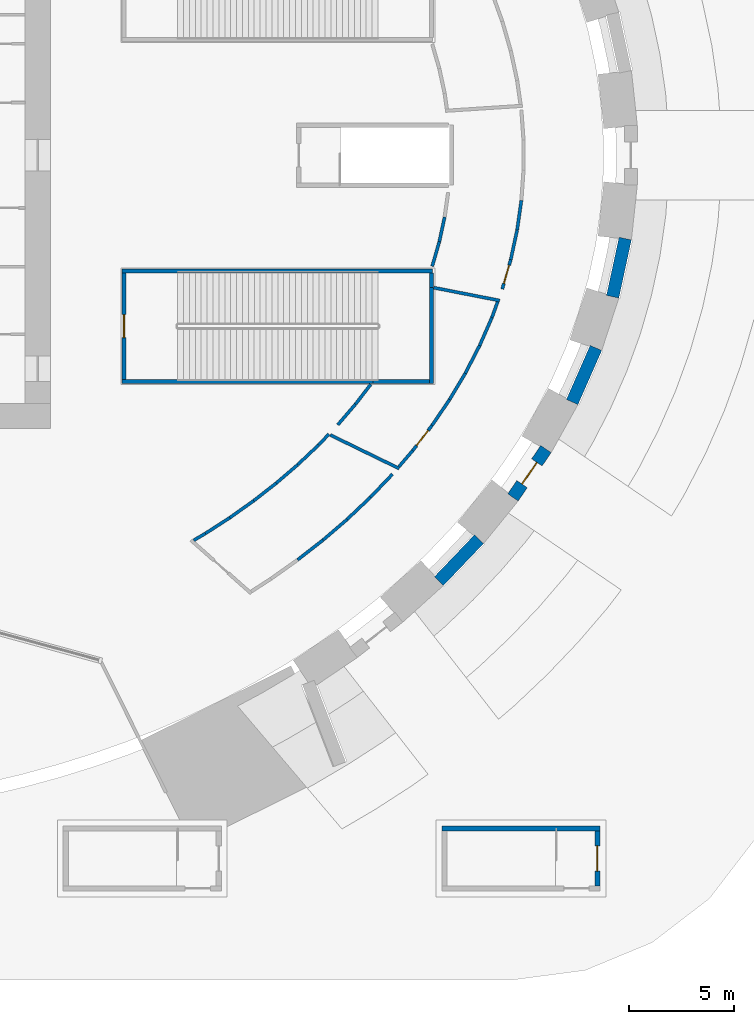
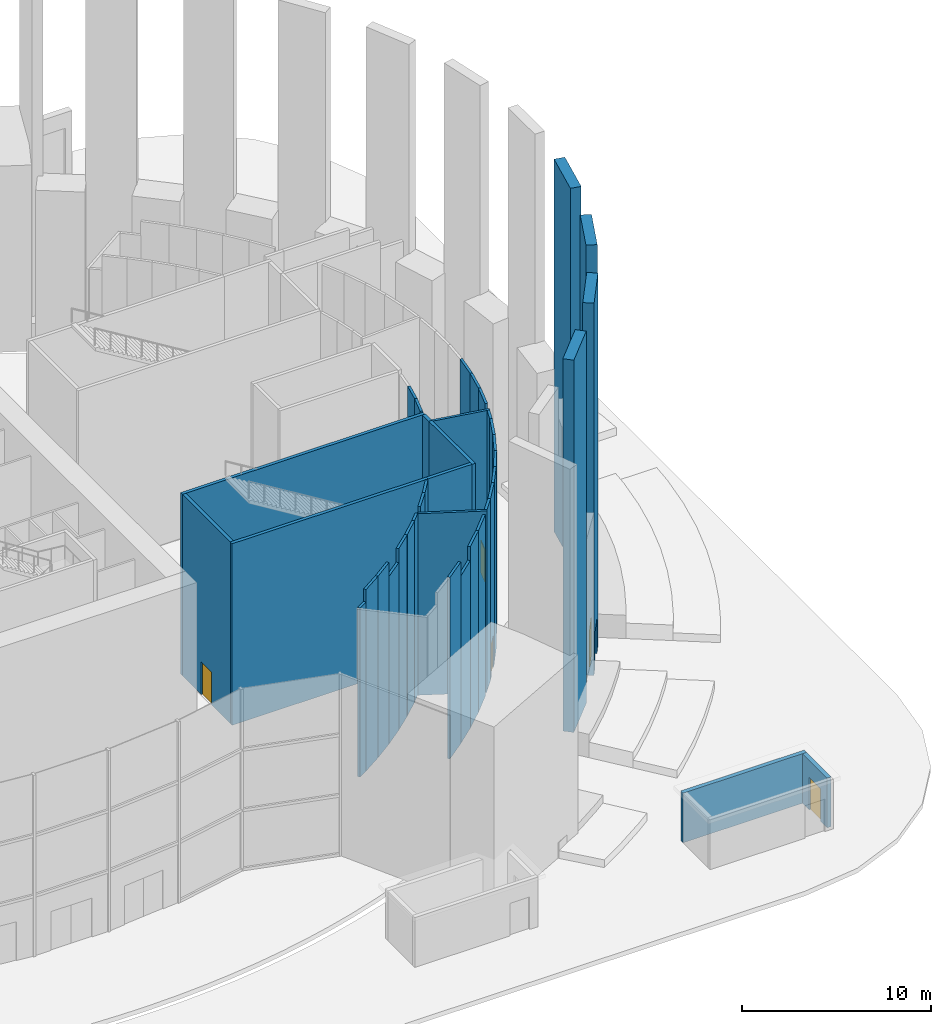
# One storey, part 13 of 25: 39 walls, 5 doors, 5 openings.
"""IFC4 building model written with IfcOpenShell, lengths in metres."""

from ifc_helpers import new_model, si_unit, direction, frame, frame_2d, origin, place, context, subcontext, project, spatial, rectangle, extrude, source, transform, mapped, material, layer, layer_set, type_object, element, fill, save


model = new_model("IFC4")

# Units and contexts
model_context = context("Model", 3, precision=1e-05, world=origin(), true_north=direction((0.0, 1.0)))
body_context = subcontext(model_context, "Body", "Model", "MODEL_VIEW")
ifc_project = project(units=[si_unit("LENGTHUNIT", "METRE"), si_unit("AREAUNIT", "SQUARE_METRE"), si_unit("VOLUMEUNIT", "CUBIC_METRE"), si_unit("PLANEANGLEUNIT", "RADIAN"), si_unit("MASSUNIT", "GRAM", prefix="KILO")], contexts=[model_context])

# Site, building, storey
site_placement = place(None, origin())
site = spatial("IfcSite", under=ifc_project, at=site_placement, CompositionType="ELEMENT")
building_placement = place(site_placement, origin())
building = spatial("IfcBuilding", under=site, at=building_placement, Name="Embergate Tower", CompositionType="ELEMENT")
storey_placement = place(building_placement, origin())
storey = spatial("IfcBuildingStorey", under=building, at=storey_placement, Name="L00", CompositionType="ELEMENT", Elevation=0.0)

# Wall
ifc_material_1 = material(Name="Brick masonry, solid, with terracotta coping", Category="masonry")
ifc_layer_1 = layer(ifc_material_1, 0.60009765625)
ifc_layer_set_1 = layer_set([ifc_layer_1], Name="Brick masonry, solid, with terracotta coping")
wall_type_1 = type_object("IfcWallType", Name="Masonry base wall", PredefinedType="SOLIDWALL", material=ifc_layer_set_1)
shared_shape_1 = source(origin(), body_context, "Body", "SweptSolid", [
    extrude(rectangle(XDim=2.75634765625, YDim=0.60009765625, at=frame_2d((1.378173828125, 0.0))), origin(), (0.0, 0.0, 1.0), 24.0),
])
wall_1_placement = place(storey_placement, frame((34.37060546875, -18.251708984375, 0.0), z_axis=(0.0, 0.0, 1.0), x_axis=(-0.691073808808, -0.722784193781, 0.0)))
element("IfcWall", 1, at=wall_1_placement, inside=storey, type_object=wall_type_1, Name="Masonry base wall 40", PredefinedType="SOLIDWALL", context=body_context, shape_type="MappedRepresentation", body=[
    mapped(shared_shape_1, transform((0.0, 0.0, 0.0))),
])

# Wall, opening, door
shared_shape_2 = source(origin(), body_context, "Body", "SweptSolid", [
    extrude(rectangle(XDim=2.781982421875, YDim=0.60009765625, at=frame_2d((1.39111328125, 0.0))), origin(), (0.0, 0.0, 1.0), 24.0),
])
wall_2_placement = place(storey_placement, frame((37.553466796875, -13.967041015625, 0.0), z_axis=(0.0, 0.0, 1.0), x_axis=(-0.563478413483, -0.826130787187, 0.0)))
wall_2 = element("IfcWall", 2, at=wall_2_placement, inside=storey, type_object=wall_type_1, Name="Masonry base wall 41", PredefinedType="SOLIDWALL", context=body_context, shape_type="MappedRepresentation", body=[
    mapped(shared_shape_2, transform((0.0, 0.0, 0.0))),
])
shared_shape_3 = source(origin(), body_context, "Body", "SweptSolid", [
    extrude(rectangle(XDim=1.25, YDim=2.300048828125, at=frame_2d((0.625, 1.14990234375))), frame((0.0, 0.31005859375, 0.0), z_axis=(0.0, -1.0, 0.0), x_axis=(1.0, 0.0, 0.0)), (0.0, 0.0, 1.0), 0.6201171875),
])
opening_1_placement = place(wall_2_placement, frame((0.76611328125, 0.0, 0.0)))
opening_1 = element("IfcOpeningElement", 3, at=opening_1_placement, cuts=wall_2, Name="Opening XD", PredefinedType="OPENING", context=body_context, shape_type="MappedRepresentation", body=[
    mapped(shared_shape_3, transform((0.0, 0.0, 0.0))),
])
ifc_material_2 = material(Name="Aluminium and toughened glass", Category="aluminium")
door_type_1 = type_object("IfcDoorType", Name="Exit door leaf", OperationType="SINGLE_SWING_LEFT", PredefinedType="DOOR", material=ifc_material_2)
shared_shape_4 = source(origin(), body_context, "Body", "SweptSolid", [
    extrude(rectangle(XDim=1.25, YDim=2.300048828125, at=frame_2d((0.625, 1.14990234375))), frame((0.0, 0.02490234375, 0.0), z_axis=(0.0, -1.0, 0.0), x_axis=(1.0, 0.0, 0.0)), (0.0, 0.0, 1.0), 0.050048828125),
])
door_1_placement = place(opening_1_placement, origin())
door_1 = element("IfcDoor", 4, at=door_1_placement, inside=storey, type_object=door_type_1, Name="Exit door exit 41.1", OperationType="SINGLE_SWING_LEFT", OverallHeight=2.300048828125, OverallWidth=1.25, PredefinedType="DOOR", context=body_context, shape_type="MappedRepresentation", body=[
    mapped(shared_shape_4, transform((0.0, 0.0, 0.0))),
])
fill(opening_1, door_1)

# Walls
shared_shape_5 = source(origin(), body_context, "Body", "SweptSolid", [
    extrude(rectangle(XDim=2.8076171875, YDim=0.60009765625, at=frame_2d((1.40380859375, 0.0))), origin(), (0.0, 0.0, 1.0), 24.0),
])
wall_3_placement = place(storey_placement, frame((39.930908203125, -9.160888671875, 0.0), z_axis=(0.0, 0.0, 1.0), x_axis=(-0.402852255888, -0.915265021688, 0.0)))
element("IfcWall", 5, at=wall_3_placement, inside=storey, type_object=wall_type_1, Name="Masonry base wall 42", PredefinedType="SOLIDWALL", context=body_context, shape_type="MappedRepresentation", body=[
    mapped(shared_shape_5, transform((0.0, 0.0, 0.0))),
])
shared_shape_6 = source(origin(), body_context, "Body", "SweptSolid", [
    extrude(rectangle(XDim=2.827392578125, YDim=0.60009765625, at=frame_2d((1.41357421875, 0.0))), origin(), (0.0, 0.0, 1.0), 24.0),
])
wall_4_placement = place(storey_placement, frame((41.3212890625, -3.963134765625, 0.0), z_axis=(0.0, 0.0, 1.0), x_axis=(-0.211120984775, -0.977459937689, 0.0)))
element("IfcWall", 6, at=wall_4_placement, inside=storey, type_object=wall_type_1, Name="Masonry base wall 43", PredefinedType="SOLIDWALL", context=body_context, shape_type="MappedRepresentation", body=[
    mapped(shared_shape_6, transform((0.0, 0.0, 0.0))),
])
ifc_material_3 = material(Name="Plasterboard on steel stud", Category="steel")
ifc_layer_2 = layer(ifc_material_3, 0.14990234375)
ifc_layer_set_2 = layer_set([ifc_layer_2], Name="Plasterboard on steel stud")
wall_type_2 = type_object("IfcWallType", Name="Partition wall 150 board", PredefinedType="PARTITIONING", material=ifc_layer_set_2)
shared_shape_7 = source(origin(), body_context, "Body", "SweptSolid", [
    extrude(rectangle(XDim=3.199462890625, YDim=0.14990234375, at=frame_2d((1.599609375, 0.0))), origin(), (0.0, 0.0, 1.0), 11.699951171875),
])
wall_5_placement = place(storey_placement, frame((32.218017578125, -6.2958984375, 0.0), z_axis=(0.0, 0.0, 1.0), x_axis=(0.98141109372, -0.191917339298, 0.0)))
element("IfcWall", 7, at=wall_5_placement, inside=storey, type_object=wall_type_2, Name="Partition 122", PredefinedType="PARTITIONING", context=body_context, shape_type="MappedRepresentation", body=[
    mapped(shared_shape_7, transform((0.0, 0.0, 0.0))),
])
shared_shape_8 = source(origin(), body_context, "Body", "SweptSolid", [
    extrude(rectangle(XDim=0.79443359375, YDim=0.14990234375, at=frame_2d((0.397216796875, 0.0))), origin(), (0.0, 0.0, 1.0), 11.699951171875),
])
wall_6_placement = place(storey_placement, frame((35.258056640625, -6.966064453125, 0.0), z_axis=(0.0, 0.0, 1.0), x_axis=(-0.341101469558, -0.940026482321, 0.0)))
element("IfcWall", 8, at=wall_6_placement, inside=storey, type_object=wall_type_2, Name="Partition 146", PredefinedType="PARTITIONING", context=body_context, shape_type="MappedRepresentation", body=[
    mapped(shared_shape_8, transform((0.0, 0.0, 0.0))),
])
shared_shape_9 = source(origin(), body_context, "Body", "SweptSolid", [
    extrude(rectangle(XDim=1.458984375, YDim=0.14990234375, at=frame_2d((0.7294921875, 0.0))), origin(), (0.0, 0.0, 1.0), 11.699951171875),
])
wall_7_placement = place(storey_placement, frame((34.987060546875, -7.712890625, 0.0), z_axis=(0.0, 0.0, 1.0), x_axis=(-0.401740274044, -0.915753652579, 0.0)))
element("IfcWall", 9, at=wall_7_placement, inside=storey, type_object=wall_type_2, Name="Partition 144", PredefinedType="PARTITIONING", context=body_context, shape_type="MappedRepresentation", body=[
    mapped(shared_shape_9, transform((0.0, 0.0, 0.0))),
])
shared_shape_10 = source(origin(), body_context, "Body", "SweptSolid", [
    extrude(rectangle(XDim=1.48291015625, YDim=0.14990234375, at=frame_2d((0.741455078125, 0.0))), origin(), (0.0, 0.0, 1.0), 11.699951171875),
])
wall_8_placement = place(storey_placement, frame((32.972900390625, -11.615966796875, 0.0), z_axis=(0.0, 0.0, 1.0), x_axis=(-0.56242710462, -0.826846873362, 0.0)))
element("IfcWall", 10, at=wall_8_placement, inside=storey, type_object=wall_type_2, Name="Partition 137", PredefinedType="PARTITIONING", context=body_context, shape_type="MappedRepresentation", body=[
    mapped(shared_shape_10, transform((0.0, 0.0, 0.0))),
])

# Wall, opening, door
shared_shape_11 = source(origin(), body_context, "Body", "SweptSolid", [
    extrude(rectangle(XDim=1.509765625, YDim=0.14990234375, at=frame_2d((0.7548828125, 0.0))), origin(), (0.0, 0.0, 1.0), 11.699951171875),
])
wall_9_placement = place(storey_placement, frame((32.138916015625, -12.842041015625, 0.0), z_axis=(0.0, 0.0, 1.0), x_axis=(-0.608631808194, -0.793452785019, 0.0)))
wall_9 = element("IfcWall", 11, at=wall_9_placement, inside=storey, type_object=wall_type_2, Name="Partition 127", PredefinedType="PARTITIONING", context=body_context, shape_type="MappedRepresentation", body=[
    mapped(shared_shape_11, transform((0.0, 0.0, 0.0))),
])
shared_shape_12 = source(origin(), body_context, "Body", "SweptSolid", [
    extrude(rectangle(XDim=0.89990234375, YDim=2.10009765625, at=frame_2d((0.449951171875, 1.050048828125))), frame((0.0, 0.0849609375, 0.0), z_axis=(0.0, -1.0, 0.0), x_axis=(1.0, 0.0, 0.0)), (0.0, 0.0, 1.0), 0.169921875),
])
opening_2_placement = place(wall_9_placement, frame((0.304931640625, 0.0, 0.0)))
opening_2 = element("IfcOpeningElement", 12, at=opening_2_placement, cuts=wall_9, Name="Opening DS-005", PredefinedType="OPENING", context=body_context, shape_type="MappedRepresentation", body=[
    mapped(shared_shape_12, transform((0.0, 0.0, 0.0))),
])
ifc_material_4 = material(Name="Timber door leaf, steel frame", Category="steel")
door_type_2 = type_object("IfcDoorType", Name="Single door 900x2100", OperationType="SINGLE_SWING_LEFT", PredefinedType="DOOR", material=ifc_material_4)
shared_shape_13 = source(origin(), body_context, "Body", "SweptSolid", [
    extrude(rectangle(XDim=0.89990234375, YDim=2.10009765625, at=frame_2d((0.449951171875, 1.050048828125))), frame((0.0, 0.02490234375, 0.0), z_axis=(0.0, -1.0, 0.0), x_axis=(1.0, 0.0, 0.0)), (0.0, 0.0, 1.0), 0.050048828125),
])
door_2_placement = place(opening_2_placement, origin())
door_2 = element("IfcDoor", 13, at=door_2_placement, inside=storey, type_object=door_type_2, Name="Door to Newsagent kiosk", OperationType="SINGLE_SWING_LEFT", OverallHeight=2.10009765625, OverallWidth=0.89990234375, PredefinedType="DOOR", context=body_context, shape_type="MappedRepresentation", body=[
    mapped(shared_shape_13, transform((0.0, 0.0, 0.0))),
])
fill(opening_2, door_2)

# Walls
ifc_material_5 = material(Name="Concrete C40", Category="concrete")
ifc_layer_3 = layer(ifc_material_5, 0.199951171875)
ifc_layer_set_3 = layer_set([ifc_layer_3], Name="Concrete C40")
wall_type_3 = type_object("IfcWallType", Name="Stair enclosure wall RC 200", PredefinedType="STANDARD", material=ifc_layer_set_3)
shared_shape_14 = source(origin(), body_context, "Body", "SweptSolid", [
    extrude(rectangle(XDim=0.677001953125, YDim=0.199951171875, at=frame_2d((0.33837890625, 0.0))), origin(), (0.0, 0.0, 1.0), 11.699951171875),
])
wall_10_placement = place(storey_placement, frame((32.1201171875, -6.277099609375, 0.0), z_axis=(0.0, 0.0, 1.0), x_axis=(0.0, 1.0, 0.0)))
element("IfcWall", 14, at=wall_10_placement, inside=storey, type_object=wall_type_3, Name="Stair wall 121", PredefinedType="STANDARD", context=body_context, shape_type="MappedRepresentation", body=[
    mapped(shared_shape_14, transform((0.0, 0.0, 0.0))),
])
shared_shape_15 = source(origin(), body_context, "Body", "SweptSolid", [
    extrude(rectangle(XDim=1.0068359375, YDim=0.14990234375, at=frame_2d((0.50341796875, 0.0))), origin(), (0.0, 0.0, 1.0), 11.699951171875),
])
wall_11_placement = place(storey_placement, frame((31.219970703125, -14.0400390625, 0.0), z_axis=(0.0, 0.0, 1.0), x_axis=(-0.651489952996, -0.758657261974, 0.0)))
element("IfcWall", 15, at=wall_11_placement, inside=storey, type_object=wall_type_2, Name="Partition 117", PredefinedType="PARTITIONING", context=body_context, shape_type="MappedRepresentation", body=[
    mapped(shared_shape_15, transform((0.0, 0.0, 0.0))),
])
shared_shape_16 = source(origin(), body_context, "Body", "SweptSolid", [
    extrude(rectangle(XDim=11.93115234375, YDim=0.199951171875, at=frame_2d((5.965576171875, 0.0))), origin(), (0.0, 0.0, 1.0), 11.699951171875),
])
wall_12_placement = place(storey_placement, frame((29.3310546875, -10.75, 0.0), z_axis=(0.0, 0.0, 1.0), x_axis=(-1.0, 0.0, 0.0)))
element("IfcWall", 16, at=wall_12_placement, inside=storey, type_object=wall_type_3, Name="Stair wall 113", PredefinedType="STANDARD", context=body_context, shape_type="MappedRepresentation", body=[
    mapped(shared_shape_16, transform((0.0, 0.0, 0.0))),
])
shared_shape_17 = source(origin(), body_context, "Body", "SweptSolid", [
    extrude(rectangle(XDim=1.192626953125, YDim=0.14990234375, at=frame_2d((0.59619140625, 0.0))), origin(), (0.0, 0.0, 1.0), 11.699951171875),
])
wall_13_placement = place(storey_placement, frame((28.50390625, -11.83203125, 0.0), z_axis=(0.0, 0.0, 1.0), x_axis=(0.608839758708, 0.793293229655, 0.0)))
element("IfcWall", 17, at=wall_13_placement, inside=storey, type_object=wall_type_2, Name="Partition 108", PredefinedType="PARTITIONING", context=body_context, shape_type="MappedRepresentation", body=[
    mapped(shared_shape_17, transform((0.0, 0.0, 0.0))),
])
shared_shape_18 = source(origin(), body_context, "Body", "SweptSolid", [
    extrude(rectangle(XDim=1.5078125, YDim=0.14990234375, at=frame_2d((0.75390625, 0.0))), origin(), (0.0, 0.0, 1.0), 11.699951171875),
])
wall_14_placement = place(storey_placement, frame((30.256103515625, -15.1630859375, 0.0), z_axis=(0.0, 0.0, 1.0), x_axis=(-0.690398724504, -0.723429057478, 0.0)))
element("IfcWall", 18, at=wall_14_placement, inside=storey, type_object=wall_type_2, Name="Partition 115", PredefinedType="PARTITIONING", context=body_context, shape_type="MappedRepresentation", body=[
    mapped(shared_shape_18, transform((0.0, 0.0, 0.0))),
])
shared_shape_19 = source(origin(), body_context, "Body", "SweptSolid", [
    extrude(rectangle(XDim=1.294921875, YDim=0.14990234375, at=frame_2d((0.6474609375, 0.0))), origin(), (0.0, 0.0, 1.0), 11.699951171875),
])
wall_15_placement = place(storey_placement, frame((27.660888671875, -12.81494140625, 0.0), z_axis=(0.0, 0.0, 1.0), x_axis=(0.651024243625, 0.759056937398, 0.0)))
element("IfcWall", 19, at=wall_15_placement, inside=storey, type_object=wall_type_2, Name="Partition 104", PredefinedType="PARTITIONING", context=body_context, shape_type="MappedRepresentation", body=[
    mapped(shared_shape_19, transform((0.0, 0.0, 0.0))),
])
shared_shape_20 = source(origin(), body_context, "Body", "SweptSolid", [
    extrude(rectangle(XDim=1.53515625, YDim=0.14990234375, at=frame_2d((0.767578125, 0.0))), origin(), (0.0, 0.0, 1.0), 11.699951171875),
])
wall_16_placement = place(storey_placement, frame((29.215087890625, -16.25390625, 0.0), z_axis=(0.0, 0.0, 1.0), x_axis=(-0.72570188564, -0.68800928277, 0.0)))
element("IfcWall", 20, at=wall_16_placement, inside=storey, type_object=wall_type_2, Name="Partition 110", PredefinedType="PARTITIONING", context=body_context, shape_type="MappedRepresentation", body=[
    mapped(shared_shape_20, transform((0.0, 0.0, 0.0))),
])
shared_shape_21 = source(origin(), body_context, "Body", "SweptSolid", [
    extrude(rectangle(XDim=3.6494140625, YDim=0.14990234375, at=frame_2d((1.82470703125, 0.0))), origin(), (0.0, 0.0, 1.0), 11.699951171875),
])
wall_17_placement = place(storey_placement, frame((27.301025390625, -13.2958984375, 0.0), z_axis=(0.0, 0.0, 1.0), x_axis=(0.899021608529, -0.437904267388, 0.0)))
element("IfcWall", 21, at=wall_17_placement, inside=storey, type_object=wall_type_2, Name="Partition 103", PredefinedType="PARTITIONING", context=body_context, shape_type="MappedRepresentation", body=[
    mapped(shared_shape_21, transform((0.0, 0.0, 0.0))),
])
shared_shape_22 = source(origin(), body_context, "Body", "SweptSolid", [
    extrude(rectangle(XDim=0.707763671875, YDim=0.14990234375, at=frame_2d((0.35400390625, 0.0))), origin(), (0.0, 0.0, 1.0), 11.699951171875),
])
wall_18_placement = place(storey_placement, frame((26.7451171875, -13.77490234375, 0.0), z_axis=(0.0, 0.0, 1.0), x_axis=(0.690533169303, 0.723300727286, 0.0)))
element("IfcWall", 22, at=wall_18_placement, inside=storey, type_object=wall_type_2, Name="Partition 099", PredefinedType="PARTITIONING", context=body_context, shape_type="MappedRepresentation", body=[
    mapped(shared_shape_22, transform((0.0, 0.0, 0.0))),
])
shared_shape_23 = source(origin(), body_context, "Body", "SweptSolid", [
    extrude(rectangle(XDim=1.50341796875, YDim=0.14990234375, at=frame_2d((0.751708984375, 0.0))), origin(), (0.0, 0.0, 1.0), 10.800048828125),
])
wall_19_placement = place(storey_placement, frame((28.10107421875, -17.31005859375, 0.0), z_axis=(0.0, 0.0, 1.0), x_axis=(-0.758958509903, -0.651138986888, 0.0)))
element("IfcWall", 23, at=wall_19_placement, inside=storey, type_object=wall_type_2, Name="Partition 106", PredefinedType="PARTITIONING", context=body_context, shape_type="MappedRepresentation", body=[
    mapped(shared_shape_23, transform((0.0, 0.0, 0.0))),
])
shared_shape_24 = source(origin(), body_context, "Body", "SweptSolid", [
    extrude(rectangle(XDim=1.35888671875, YDim=0.14990234375, at=frame_2d((0.679443359375, 0.0))), origin(), (0.0, 0.0, 1.0), 11.699951171875),
])
wall_20_placement = place(storey_placement, frame((25.758056640625, -14.708984375, 0.0), z_axis=(0.0, 0.0, 1.0), x_axis=(0.726330235595, 0.687345901901, 0.0)))
element("IfcWall", 24, at=wall_20_placement, inside=storey, type_object=wall_type_2, Name="Partition 095", PredefinedType="PARTITIONING", context=body_context, shape_type="MappedRepresentation", body=[
    mapped(shared_shape_24, transform((0.0, 0.0, 0.0))),
])
shared_shape_25 = source(origin(), body_context, "Body", "SweptSolid", [
    extrude(rectangle(XDim=1.33837890625, YDim=0.14990234375, at=frame_2d((0.669189453125, 0.0))), origin(), (0.0, 0.0, 1.0), 11.699951171875),
])
wall_21_placement = place(storey_placement, frame((24.742919921875, -15.5810546875, 0.0), z_axis=(0.0, 0.0, 1.0), x_axis=(0.758535009676, 0.651632288255, 0.0)))
element("IfcWall", 25, at=wall_21_placement, inside=storey, type_object=wall_type_2, Name="Partition 092", PredefinedType="PARTITIONING", context=body_context, shape_type="MappedRepresentation", body=[
    mapped(shared_shape_25, transform((0.0, 0.0, 0.0))),
])
shared_shape_26 = source(origin(), body_context, "Body", "SweptSolid", [
    extrude(rectangle(XDim=1.52978515625, YDim=0.14990234375, at=frame_2d((0.764892578125, 0.0))), origin(), (0.0, 0.0, 1.0), 11.699951171875),
])
wall_22_placement = place(storey_placement, frame((26.9599609375, -18.2890625, 0.0), z_axis=(0.0, 0.0, 1.0), x_axis=(-0.788440381809, -0.615111180464, 0.0)))
element("IfcWall", 26, at=wall_22_placement, inside=storey, type_object=wall_type_2, Name="Partition 101", PredefinedType="PARTITIONING", context=body_context, shape_type="MappedRepresentation", body=[
    mapped(shared_shape_26, transform((0.0, 0.0, 0.0))),
])
shared_shape_27 = source(origin(), body_context, "Body", "SweptSolid", [
    extrude(rectangle(XDim=1.3671875, YDim=0.14990234375, at=frame_2d((0.68359375, 0.0))), origin(), (0.0, 0.0, 1.0), 10.800048828125),
])
wall_23_placement = place(storey_placement, frame((23.6650390625, -16.422119140625, 0.0), z_axis=(0.0, 0.0, 1.0), x_axis=(0.788389714652, 0.61517611936, 0.0)))
element("IfcWall", 27, at=wall_23_placement, inside=storey, type_object=wall_type_2, Name="Partition 089", PredefinedType="PARTITIONING", context=body_context, shape_type="MappedRepresentation", body=[
    mapped(shared_shape_27, transform((0.0, 0.0, 0.0))),
])
shared_shape_28 = source(origin(), body_context, "Body", "SweptSolid", [
    extrude(rectangle(XDim=1.397216796875, YDim=0.14990234375, at=frame_2d((0.69873046875, 0.0))), origin(), (0.0, 0.0, 1.0), 11.699951171875),
])
wall_24_placement = place(storey_placement, frame((22.52587890625, -17.23095703125, 0.0), z_axis=(0.0, 0.0, 1.0), x_axis=(0.815371436095, 0.578938184265, 0.0)))
element("IfcWall", 28, at=wall_24_placement, inside=storey, type_object=wall_type_2, Name="Partition 087", PredefinedType="PARTITIONING", context=body_context, shape_type="MappedRepresentation", body=[
    mapped(shared_shape_28, transform((0.0, 0.0, 0.0))),
])
shared_shape_29 = source(origin(), body_context, "Body", "SweptSolid", [
    extrude(rectangle(XDim=1.375732421875, YDim=0.14990234375, at=frame_2d((0.68798828125, 0.0))), origin(), (0.0, 0.0, 1.0), 11.699951171875),
])
wall_25_placement = place(storey_placement, frame((21.3701171875, -17.97705078125, 0.0), z_axis=(0.0, 0.0, 1.0), x_axis=(0.840150572034, 0.542353220983, 0.0)))
element("IfcWall", 29, at=wall_25_placement, inside=storey, type_object=wall_type_2, Name="Partition 086", PredefinedType="PARTITIONING", context=body_context, shape_type="MappedRepresentation", body=[
    mapped(shared_shape_29, transform((0.0, 0.0, 0.0))),
])
shared_shape_30 = source(origin(), body_context, "Body", "SweptSolid", [
    extrude(rectangle(XDim=0.643798828125, YDim=0.14990234375, at=frame_2d((0.32177734375, 0.0))), origin(), (0.0, 0.0, 1.0), 10.89990234375),
])
wall_26_placement = place(storey_placement, frame((20.81494140625, -18.302978515625, 0.0), z_axis=(0.0, 0.0, 1.0), x_axis=(0.862372592271, 0.506274147177, 0.0)))
element("IfcWall", 30, at=wall_26_placement, inside=storey, type_object=wall_type_2, Name="Partition 085", PredefinedType="PARTITIONING", context=body_context, shape_type="MappedRepresentation", body=[
    mapped(shared_shape_30, transform((0.0, 0.0, 0.0))),
])

# Wall, opening, door
shared_shape_31 = source(origin(), body_context, "Body", "SweptSolid", [
    extrude(rectangle(XDim=5.0498046875, YDim=0.199951171875, at=frame_2d((2.52490234375, 0.0))), origin(), (0.0, 0.0, 1.0), 11.699951171875),
])
wall_27_placement = place(storey_placement, frame((17.5, -10.64990234375, 0.0), z_axis=(0.0, 0.0, 1.0), x_axis=(0.0, 1.0, 0.0)))
wall_27 = element("IfcWall", 31, at=wall_27_placement, inside=storey, type_object=wall_type_3, Name="Stair wall 081", PredefinedType="STANDARD", context=body_context, shape_type="MappedRepresentation", body=[
    mapped(shared_shape_31, transform((0.0, 0.0, 0.0))),
])
shared_shape_32 = source(origin(), body_context, "Body", "SweptSolid", [
    extrude(rectangle(XDim=1.10009765625, YDim=2.10009765625, at=frame_2d((0.550048828125, 1.050048828125))), frame((0.0, 0.10986328125, 0.0), z_axis=(0.0, -1.0, 0.0), x_axis=(1.0, 0.0, 0.0)), (0.0, 0.0, 1.0), 0.219970703125),
])
opening_3_placement = place(wall_27_placement, frame((1.97509765625, 0.0, 0.0)))
opening_3 = element("IfcOpeningElement", 32, at=opening_3_placement, cuts=wall_27, Name="Opening DS-016", PredefinedType="OPENING", context=body_context, shape_type="MappedRepresentation", body=[
    mapped(shared_shape_32, transform((0.0, 0.0, 0.0))),
])
ifc_material_6 = material(Name="Steel fire door leaf", Category="steel")
door_type_3 = type_object("IfcDoorType", Name="Fire door class B 1100x2100", OperationType="SINGLE_SWING_LEFT", PredefinedType="DOOR", material=ifc_material_6)
shared_shape_33 = source(origin(), body_context, "Body", "SweptSolid", [
    extrude(rectangle(XDim=1.10009765625, YDim=2.10009765625, at=frame_2d((0.550048828125, 1.050048828125))), frame((0.0, 0.02490234375, 0.0), z_axis=(0.0, -1.0, 0.0), x_axis=(1.0, 0.0, 0.0)), (0.0, 0.0, 1.0), 0.050048828125),
])
door_3_placement = place(opening_3_placement, origin())
door_3 = element("IfcDoor", 33, at=door_3_placement, inside=storey, type_object=door_type_3, Name="Door to Exit stair enclosure", OperationType="SINGLE_SWING_LEFT", OverallHeight=2.10009765625, OverallWidth=1.10009765625, PredefinedType="DOOR", context=body_context, shape_type="MappedRepresentation", body=[
    mapped(shared_shape_33, transform((0.0, 0.0, 0.0))),
])
fill(opening_3, door_3)

# Walls
shared_shape_34 = source(origin(), body_context, "Body", "SweptSolid", [
    extrude(rectangle(XDim=14.76806640625, YDim=0.199951171875, at=frame_2d((7.384033203125, 0.0))), origin(), (0.0, 0.0, 1.0), 11.699951171875),
])
wall_28_placement = place(storey_placement, frame((17.39990234375, -5.5, 0.0), z_axis=(0.0, 0.0, 1.0), x_axis=(1.0, 0.0, 0.0)))
element("IfcWall", 34, at=wall_28_placement, inside=storey, type_object=wall_type_3, Name="Stair wall 082", PredefinedType="STANDARD", context=body_context, shape_type="MappedRepresentation", body=[
    mapped(shared_shape_34, transform((0.0, 0.0, 0.0))),
])
shared_shape_35 = source(origin(), body_context, "Body", "SweptSolid", [
    extrude(rectangle(XDim=2.68896484375, YDim=0.199951171875, at=frame_2d((1.344482421875, 0.0))), origin(), (0.0, 0.0, 1.0), 11.699951171875),
])
wall_29_placement = place(storey_placement, frame((29.3310546875, -10.75, 0.0), z_axis=(0.0, 0.0, 1.0), x_axis=(1.0, 0.0, 0.0)))
element("IfcWall", 35, at=wall_29_placement, inside=storey, type_object=wall_type_3, Name="Stair wall 114", PredefinedType="STANDARD", context=body_context, shape_type="MappedRepresentation", body=[
    mapped(shared_shape_35, transform((0.0, 0.0, 0.0))),
])
shared_shape_36 = source(origin(), body_context, "Body", "SweptSolid", [
    extrude(rectangle(XDim=4.572998046875, YDim=0.199951171875, at=frame_2d((2.28662109375, 0.0))), origin(), (0.0, 0.0, 1.0), 11.699951171875),
])
wall_30_placement = place(storey_placement, frame((32.1201171875, -10.85009765625, 0.0), z_axis=(0.0, 0.0, 1.0), x_axis=(0.0, 1.0, 0.0)))
element("IfcWall", 36, at=wall_30_placement, inside=storey, type_object=wall_type_3, Name="Stair wall 120", PredefinedType="STANDARD", context=body_context, shape_type="MappedRepresentation", body=[
    mapped(shared_shape_36, transform((0.0, 0.0, 0.0))),
])
shared_shape_37 = source(origin(), body_context, "Body", "SweptSolid", [
    extrude(rectangle(XDim=1.214599609375, YDim=0.14990234375, at=frame_2d((0.607421875, 0.0))), origin(), (0.0, 0.0, 1.0), 11.699951171875),
])
wall_31_placement = place(storey_placement, frame((32.14892578125, -5.278076171875, 0.0), z_axis=(0.0, 0.0, 1.0), x_axis=(0.277560264253, 0.960708228188, 0.0)))
element("IfcWall", 37, at=wall_31_placement, inside=storey, type_object=wall_type_2, Name="Partition 129", PredefinedType="PARTITIONING", context=body_context, shape_type="MappedRepresentation", body=[
    mapped(shared_shape_37, transform((0.0, 0.0, 0.0))),
])
shared_shape_38 = source(origin(), body_context, "Body", "SweptSolid", [
    extrude(rectangle(XDim=1.196044921875, YDim=0.14990234375, at=frame_2d((0.59814453125, 0.0))), origin(), (0.0, 0.0, 1.0), 11.699951171875),
])
wall_32_placement = place(storey_placement, frame((32.486083984375, -4.111083984375, 0.0), z_axis=(0.0, 0.0, 1.0), x_axis=(0.210658114752, 0.977559798012, 0.0)))
element("IfcWall", 38, at=wall_32_placement, inside=storey, type_object=wall_type_2, Name="Partition 130", PredefinedType="PARTITIONING", context=body_context, shape_type="MappedRepresentation", body=[
    mapped(shared_shape_38, transform((0.0, 0.0, 0.0))),
])
shared_shape_39 = source(origin(), body_context, "Body", "SweptSolid", [
    extrude(rectangle(XDim=1.45703125, YDim=0.14990234375, at=frame_2d((0.728515625, 0.0))), origin(), (0.0, 0.0, 1.0), 11.699951171875),
])
wall_33_placement = place(storey_placement, frame((33.719970703125, -10.364990234375, 0.0), z_axis=(0.0, 0.0, 1.0), x_axis=(-0.512720534754, -0.858555562117, 0.0)))
element("IfcWall", 39, at=wall_33_placement, inside=storey, type_object=wall_type_2, Name="Partition 140", PredefinedType="PARTITIONING", context=body_context, shape_type="MappedRepresentation", body=[
    mapped(shared_shape_39, transform((0.0, 0.0, 0.0))),
])
shared_shape_40 = source(origin(), body_context, "Body", "SweptSolid", [
    extrude(rectangle(XDim=1.481689453125, YDim=0.14990234375, at=frame_2d((0.74072265625, 0.0))), origin(), (0.0, 0.0, 1.0), 11.699951171875),
])
wall_34_placement = place(storey_placement, frame((34.40087890625, -9.049072265625, 0.0), z_axis=(0.0, 0.0, 1.0), x_axis=(-0.459561875862, -0.888145755073, 0.0)))
element("IfcWall", 40, at=wall_34_placement, inside=storey, type_object=wall_type_2, Name="Partition 142", PredefinedType="PARTITIONING", context=body_context, shape_type="MappedRepresentation", body=[
    mapped(shared_shape_40, transform((0.0, 0.0, 0.0))),
])

# Wall, opening, door
shared_shape_41 = source(origin(), body_context, "Body", "SweptSolid", [
    extrude(rectangle(XDim=1.453857421875, YDim=0.14990234375, at=frame_2d((0.72705078125, 0.0))), origin(), (0.0, 0.0, 1.0), 11.699951171875),
])
wall_35_placement = place(storey_placement, frame((35.8798828125, -4.966064453125, 0.0), z_axis=(0.0, 0.0, 1.0), x_axis=(-0.277071214035, -0.960849385884, 0.0)))
wall_35 = element("IfcWall", 41, at=wall_35_placement, inside=storey, type_object=wall_type_2, Name="Partition 148", PredefinedType="PARTITIONING", context=body_context, shape_type="MappedRepresentation", body=[
    mapped(shared_shape_41, transform((0.0, 0.0, 0.0))),
])
opening_4_placement = place(wall_35_placement, frame((0.277099609375, 0.0, 0.0)))
opening_4 = element("IfcOpeningElement", 42, at=opening_4_placement, cuts=wall_35, Name="Opening DS-006", PredefinedType="OPENING", context=body_context, shape_type="MappedRepresentation", body=[
    mapped(shared_shape_12, transform((0.0, 0.0, 0.0))),
])
door_4_placement = place(opening_4_placement, origin())
door_4 = element("IfcDoor", 43, at=door_4_placement, inside=storey, type_object=door_type_2, Name="Door to Cafe kiosk", OperationType="SINGLE_SWING_LEFT", OverallHeight=2.10009765625, OverallWidth=0.89990234375, PredefinedType="DOOR", context=body_context, shape_type="MappedRepresentation", body=[
    mapped(shared_shape_13, transform((0.0, 0.0, 0.0))),
])
fill(opening_4, door_4)

# Walls
shared_shape_42 = source(origin(), body_context, "Body", "SweptSolid", [
    extrude(rectangle(XDim=1.439208984375, YDim=0.14990234375, at=frame_2d((0.7197265625, 0.0))), origin(), (0.0, 0.0, 1.0), 11.699951171875),
])
wall_36_placement = place(storey_placement, frame((36.18310546875, -3.55908203125, 0.0), z_axis=(0.0, 0.0, 1.0), x_axis=(-0.210675783449, -0.97755599035, 0.0)))
element("IfcWall", 44, at=wall_36_placement, inside=storey, type_object=wall_type_2, Name="Partition 150", PredefinedType="PARTITIONING", context=body_context, shape_type="MappedRepresentation", body=[
    mapped(shared_shape_42, transform((0.0, 0.0, 0.0))),
])
shared_shape_43 = source(origin(), body_context, "Body", "SweptSolid", [
    extrude(rectangle(XDim=1.427490234375, YDim=0.14990234375, at=frame_2d((0.7138671875, 0.0))), origin(), (0.0, 0.0, 1.0), 11.699951171875),
])
wall_37_placement = place(storey_placement, frame((36.385009765625, -2.14599609375, 0.0), z_axis=(0.0, 0.0, 1.0), x_axis=(-0.141445300987, -0.989946072687, 0.0)))
element("IfcWall", 45, at=wall_37_placement, inside=storey, type_object=wall_type_2, Name="Partition 152", PredefinedType="PARTITIONING", context=body_context, shape_type="MappedRepresentation", body=[
    mapped(shared_shape_43, transform((0.0, 0.0, 0.0))),
])
ifc_layer_4 = layer(ifc_material_5, 0.25)
ifc_layer_set_4 = layer_set([ifc_layer_4], Name="Concrete C40")
wall_type_4 = type_object("IfcWallType", Name="Stair head house wall C40 250", PredefinedType="SOLIDWALL", material=ifc_layer_set_4)
shared_shape_44 = source(origin(), body_context, "Body", "SweptSolid", [
    extrude(rectangle(XDim=7.52001953125, YDim=0.25, at=frame_2d((3.760009765625, 0.0))), origin(), (0.0, 0.0, 1.0), 3.199951171875),
])
wall_38_placement = place(storey_placement, frame((40.125, -32.0, 0.0), z_axis=(0.0, 0.0, 1.0), x_axis=(-1.0, 0.0, 0.0)))
element("IfcWall", 46, at=wall_38_placement, inside=storey, type_object=wall_type_4, Name="Stair head house wall", PredefinedType="SOLIDWALL", context=body_context, shape_type="MappedRepresentation", body=[
    mapped(shared_shape_44, transform((0.0, 0.0, 0.0))),
])

# Wall, opening, door
shared_shape_45 = source(origin(), body_context, "Body", "SweptSolid", [
    extrude(rectangle(XDim=2.60009765625, YDim=0.25, at=frame_2d((1.300048828125, 0.0))), origin(), (0.0, 0.0, 1.0), 3.199951171875),
])
wall_39_placement = place(storey_placement, frame((40.0, -32.125, 0.0), z_axis=(0.0, 0.0, 1.0), x_axis=(0.0, -1.0, 0.0)))
wall_39 = element("IfcWall", 47, at=wall_39_placement, inside=storey, type_object=wall_type_4, Name="Stair head house wall", PredefinedType="SOLIDWALL", context=body_context, shape_type="MappedRepresentation", body=[
    mapped(shared_shape_45, transform((0.0, 0.0, 0.0))),
])
shared_shape_46 = source(origin(), body_context, "Body", "SweptSolid", [
    extrude(rectangle(XDim=1.199951171875, YDim=2.10009765625, at=frame_2d((0.60009765625, 1.050048828125))), frame((0.0, 0.135009765625, 0.0), z_axis=(0.0, -1.0, 0.0), x_axis=(1.0, 0.0, 0.0)), (0.0, 0.0, 1.0), 0.27001953125),
])
opening_5_placement = place(wall_39_placement, frame((0.699951171875, 0.0, 0.0)))
opening_5 = element("IfcOpeningElement", 48, at=opening_5_placement, cuts=wall_39, Name="Opening XE-4", PredefinedType="OPENING", context=body_context, shape_type="MappedRepresentation", body=[
    mapped(shared_shape_46, transform((0.0, 0.0, 0.0))),
])
door_type_4 = type_object("IfcDoorType", Name="Plant door 1200x2100", OperationType="SINGLE_SWING_LEFT", PredefinedType="DOOR", material=ifc_material_4)
shared_shape_47 = source(origin(), body_context, "Body", "SweptSolid", [
    extrude(rectangle(XDim=1.199951171875, YDim=2.10009765625, at=frame_2d((0.60009765625, 1.050048828125))), frame((0.0, 0.02490234375, 0.0), z_axis=(0.0, -1.0, 0.0), x_axis=(1.0, 0.0, 0.0)), (0.0, 0.0, 1.0), 0.050048828125),
])
door_5_placement = place(opening_5_placement, origin())
door_5 = element("IfcDoor", 49, at=door_5_placement, inside=storey, type_object=door_type_4, Name="Stair second exit door", OperationType="SINGLE_SWING_LEFT", OverallHeight=2.10009765625, OverallWidth=1.199951171875, PredefinedType="DOOR", context=body_context, shape_type="MappedRepresentation", body=[
    mapped(shared_shape_47, transform((0.0, 0.0, 0.0))),
])
fill(opening_5, door_5)

save(model, "model.ifc")
